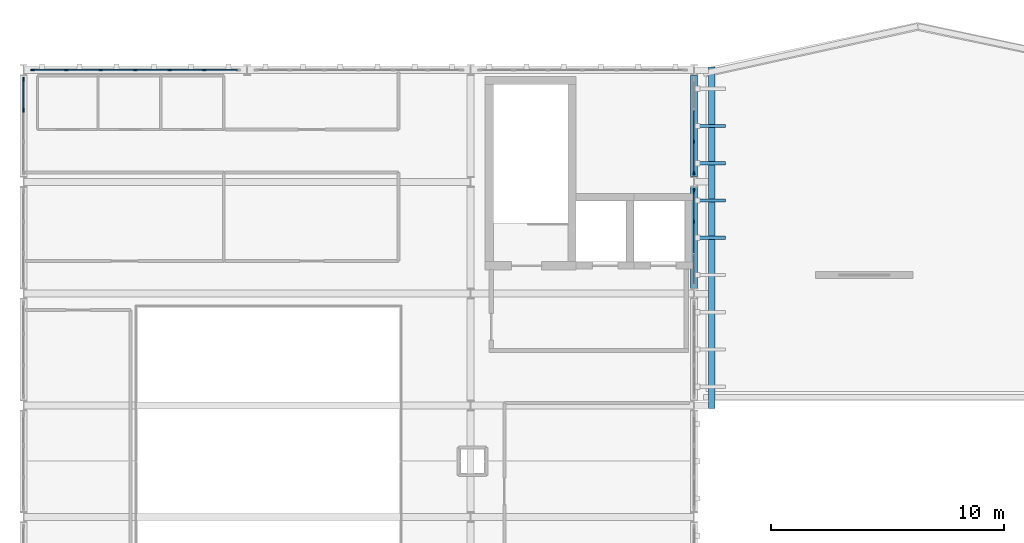
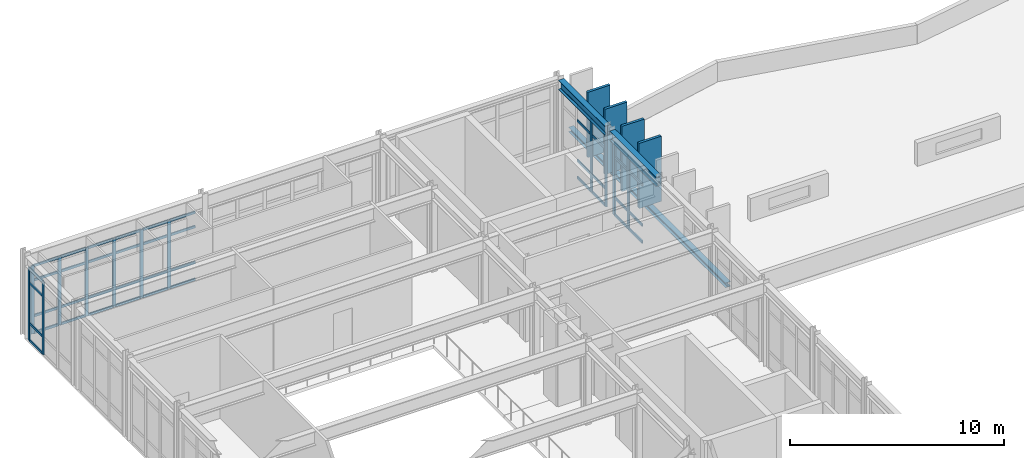
# One storey, part 7 of 16: 61 members, 3 beams, 4 elements without a shape of their own.
"""IFC4 building model written with IfcOpenShell, lengths in metres."""

from ifc_helpers import new_model, si_unit, direction, frame, origin, origin_2d, place, context, subcontext, project, spatial, rectangle, i_section, extrude, material, layer, layer_set, material_profile, profile_set, type_object, element, aggregate, save


model = new_model("IFC4")

# Units and contexts
model_context = context("Model", 3, precision=1e-05, world=origin(), true_north=direction((0.0, 1.0)))
body_context = subcontext(model_context, "Body", "Model", "MODEL_VIEW")
ifc_project = project(units=[si_unit("LENGTHUNIT", "METRE"), si_unit("AREAUNIT", "SQUARE_METRE"), si_unit("VOLUMEUNIT", "CUBIC_METRE"), si_unit("PLANEANGLEUNIT", "RADIAN"), si_unit("MASSUNIT", "GRAM", prefix="KILO")], contexts=[model_context])

# Site, building, storey
site_placement = place(None, origin())
site = spatial("IfcSite", under=ifc_project, at=site_placement, CompositionType="ELEMENT")
building_placement = place(site_placement, origin())
building = spatial("IfcBuilding", under=site, at=building_placement, Name="Nordkorset Police Headquarters", CompositionType="ELEMENT")
storey_placement = place(building_placement, frame((0.0, 0.0, 31.14990234375)))
storey = spatial("IfcBuildingStorey", under=building, at=storey_placement, Name="L07", CompositionType="ELEMENT", Elevation=31.14990234375)

# Curtain wall, members
ifc_material_1 = material(Name="Aluminium alloy AW-6060", Category="aluminium")
ifc_layer_1 = layer(ifc_material_1, 0.179931640625, Name="Aluminium alloy AW-6060")
ifc_layer_set_1 = layer_set([ifc_layer_1], Name="Aluminium alloy AW-6060")
curtain_wall_type_1 = type_object("IfcCurtainWallType", Name="CW_Unit_408x415", PredefinedType="USERDEFINED", material=ifc_layer_set_1)
curtain_wall_1_placement = place(storey_placement, origin())
curtain_wall_1 = element("IfcCurtainWall", 1, at=curtain_wall_1_placement, inside=storey, type_object=curtain_wall_type_1, Name="Unitised Curtain Wall L07 V1W-6", ObjectType="UNITISED CURTAIN WALL", PredefinedType="USERDEFINED")
ifc_material_2 = material(Name="Aluminium alloy AW-6060", Category="aluminium")
ifc_material_profile_1 = material_profile(ifc_material_2, rectangle(XDim=0.06494140625, YDim=0.179931640625, at=origin_2d()), Name="ALU MULL 65x180")
ifc_profile_set_1 = profile_set([ifc_material_profile_1], Name="Aluminium alloy AW-6060")
member_type_1 = type_object("IfcMemberType", Name="CW_Mullion_65x180", PredefinedType="MULLION", material=ifc_profile_set_1)
member_1_placement = place(storey_placement, frame((0.0, 115.080078125, 0.0), z_axis=(0.0, 0.0, 1.0), x_axis=(-1.0, 0.0, 0.0)))
member_1 = element("IfcMember", 2, at=member_1_placement, type_object=member_type_1, Name="CW-101 mullion 3", PredefinedType="MULLION", context=body_context, shape_type="SweptSolid", body=[
    extrude(rectangle(XDim=0.06494140625, YDim=0.179931640625, at=origin_2d()), origin(), (0.0, 0.0, 1.0), 4.150146484375),
])
member_2_placement = place(storey_placement, frame((0.0, 116.407470703125, 0.0), z_axis=(0.0, 0.0, 1.0), x_axis=(-1.0, 0.0, 0.0)))
member_2 = element("IfcMember", 3, at=member_2_placement, type_object=member_type_1, Name="CW-101 mullion 4", PredefinedType="MULLION", context=body_context, shape_type="SweptSolid", body=[
    extrude(rectangle(XDim=0.06494140625, YDim=0.179931640625, at=origin_2d()), origin(), (0.0, 0.0, 1.0), 4.150146484375),
])

ifc_material_3 = material(Name="Aluminium alloy AW-6060", Category="aluminium")
ifc_layer_2 = layer(ifc_material_3, 0.179931640625, Name="Aluminium alloy AW-6060")
ifc_layer_set_2 = layer_set([ifc_layer_2], Name="Aluminium alloy AW-6060")
curtain_wall_type_2 = type_object("IfcCurtainWallType", Name="CW_Unit_888x389", PredefinedType="USERDEFINED", material=ifc_layer_set_2)
curtain_wall_2_placement = place(storey_placement, origin())
curtain_wall_2 = element("IfcCurtainWall", 4, at=curtain_wall_2_placement, inside=storey, type_object=curtain_wall_type_2, Name="Unitised Curtain Wall L07 V1N-0", ObjectType="UNITISED CURTAIN WALL", PredefinedType="USERDEFINED")
member_3_placement = place(storey_placement, frame((0.392578125, 116.800048828125, 0.0), z_axis=(0.0, 0.0, 1.0), x_axis=(0.0, 1.0, 0.0)))
member_3 = element("IfcMember", 5, at=member_3_placement, type_object=member_type_1, Name="CW-76 mullion 1", PredefinedType="MULLION", context=body_context, shape_type="SweptSolid", body=[
    extrude(rectangle(XDim=0.06494140625, YDim=0.179931640625, at=origin_2d()), origin(), (0.0, 0.0, 1.0), 3.89013671875),
])
member_4_placement = place(storey_placement, frame((1.840087890625, 116.800048828125, 0.0), z_axis=(0.0, 0.0, 1.0), x_axis=(0.0, 1.0, 0.0)))
member_4 = element("IfcMember", 6, at=member_4_placement, type_object=member_type_1, Name="CW-76 mullion 2", PredefinedType="MULLION", context=body_context, shape_type="SweptSolid", body=[
    extrude(rectangle(XDim=0.06494140625, YDim=0.179931640625, at=origin_2d()), origin(), (0.0, 0.0, 1.0), 3.89013671875),
])
member_5_placement = place(storey_placement, frame((3.320068359375, 116.800048828125, 0.0), z_axis=(0.0, 0.0, 1.0), x_axis=(0.0, 1.0, 0.0)))
member_5 = element("IfcMember", 7, at=member_5_placement, type_object=member_type_1, Name="CW-76 mullion 3", PredefinedType="MULLION", context=body_context, shape_type="SweptSolid", body=[
    extrude(rectangle(XDim=0.06494140625, YDim=0.179931640625, at=origin_2d()), origin(), (0.0, 0.0, 1.0), 3.89013671875),
])
member_6_placement = place(storey_placement, frame((4.800048828125, 116.800048828125, 0.0), z_axis=(0.0, 0.0, 1.0), x_axis=(0.0, 1.0, 0.0)))
member_6 = element("IfcMember", 8, at=member_6_placement, type_object=member_type_1, Name="CW-76 mullion 4", PredefinedType="MULLION", context=body_context, shape_type="SweptSolid", body=[
    extrude(rectangle(XDim=0.06494140625, YDim=0.179931640625, at=origin_2d()), origin(), (0.0, 0.0, 1.0), 3.89013671875),
])
member_7_placement = place(storey_placement, frame((6.280029296875, 116.800048828125, 0.0), z_axis=(0.0, 0.0, 1.0), x_axis=(0.0, 1.0, 0.0)))
member_7 = element("IfcMember", 9, at=member_7_placement, type_object=member_type_1, Name="CW-76 mullion 5", PredefinedType="MULLION", context=body_context, shape_type="SweptSolid", body=[
    extrude(rectangle(XDim=0.06494140625, YDim=0.179931640625, at=origin_2d()), origin(), (0.0, 0.0, 1.0), 3.89013671875),
])
member_8_placement = place(storey_placement, frame((7.760009765625, 116.800048828125, 0.0), z_axis=(0.0, 0.0, 1.0), x_axis=(0.0, 1.0, 0.0)))
member_8 = element("IfcMember", 10, at=member_8_placement, type_object=member_type_1, Name="CW-76 mullion 6", PredefinedType="MULLION", context=body_context, shape_type="SweptSolid", body=[
    extrude(rectangle(XDim=0.06494140625, YDim=0.179931640625, at=origin_2d()), origin(), (0.0, 0.0, 1.0), 3.89013671875),
])

curtain_wall_3_placement = place(storey_placement, origin())
curtain_wall_3 = element("IfcCurtainWall", 11, at=curtain_wall_3_placement, inside=storey, type_object=curtain_wall_type_1, Name="Unitised Curtain Wall L07 V1E-5", ObjectType="UNITISED CURTAIN WALL", PredefinedType="USERDEFINED")
member_9_placement = place(storey_placement, frame((28.800048828125, 110.280029296875, 0.0), z_axis=(0.0, 0.0, 1.0), x_axis=(-1.0, 0.0, 0.0)))
member_9 = element("IfcMember", 12, at=member_9_placement, type_object=member_type_1, Name="CW-101 mullion 3", PredefinedType="MULLION", context=body_context, shape_type="SweptSolid", body=[
    extrude(rectangle(XDim=0.06494140625, YDim=0.179931640625, at=origin_2d()), origin(), (0.0, 0.0, 1.0), 4.150146484375),
])
member_10_placement = place(storey_placement, frame((28.800048828125, 111.607421875, 0.0), z_axis=(0.0, 0.0, 1.0), x_axis=(-1.0, 0.0, 0.0)))
member_10 = element("IfcMember", 13, at=member_10_placement, type_object=member_type_1, Name="CW-101 mullion 4", PredefinedType="MULLION", context=body_context, shape_type="SweptSolid", body=[
    extrude(rectangle(XDim=0.06494140625, YDim=0.179931640625, at=origin_2d()), origin(), (0.0, 0.0, 1.0), 4.150146484375),
])

curtain_wall_4_placement = place(storey_placement, origin())
curtain_wall_4 = element("IfcCurtainWall", 14, at=curtain_wall_4_placement, inside=storey, type_object=curtain_wall_type_1, Name="Unitised Curtain Wall L07 V1E-6", ObjectType="UNITISED CURTAIN WALL", PredefinedType="USERDEFINED")
member_11_placement = place(storey_placement, frame((28.800048828125, 112.392578125, 0.0), z_axis=(0.0, 0.0, 1.0), x_axis=(-1.0, 0.0, 0.0)))
member_11 = element("IfcMember", 15, at=member_11_placement, type_object=member_type_1, Name="CW-101 mullion 1", PredefinedType="MULLION", context=body_context, shape_type="SweptSolid", body=[
    extrude(rectangle(XDim=0.06494140625, YDim=0.179931640625, at=origin_2d()), origin(), (0.0, 0.0, 1.0), 4.150146484375),
])
member_12_placement = place(storey_placement, frame((28.800048828125, 113.719970703125, 0.0), z_axis=(0.0, 0.0, 1.0), x_axis=(-1.0, 0.0, 0.0)))
member_12 = element("IfcMember", 16, at=member_12_placement, type_object=member_type_1, Name="CW-101 mullion 2", PredefinedType="MULLION", context=body_context, shape_type="SweptSolid", body=[
    extrude(rectangle(XDim=0.06494140625, YDim=0.179931640625, at=origin_2d()), origin(), (0.0, 0.0, 1.0), 4.150146484375),
])

# Member
ifc_material_4 = material(Name="Aluminium alloy AW-6060", Category="aluminium")
ifc_material_profile_2 = material_profile(ifc_material_4, rectangle(XDim=0.06494140625, YDim=0.139892578125, at=origin_2d()), Name="ALU TRAN 65x140")
ifc_profile_set_2 = profile_set([ifc_material_profile_2], Name="Aluminium alloy AW-6060")
member_type_2 = type_object("IfcMemberType", Name="CW_Transom_65x140", PredefinedType="USERDEFINED", material=ifc_profile_set_2)
member_13_placement = place(storey_placement, frame((0.0, 115.112548828125, 0.03271484375), z_axis=(0.0, 1.0, 0.0), x_axis=(-1.0, 0.0, 0.0)))
member_13 = element("IfcMember", 17, at=member_13_placement, type_object=member_type_2, Name="CW-101 transom 3.1", ObjectType="TRANSOM", PredefinedType="USERDEFINED", context=body_context, shape_type="SweptSolid", body=[
    extrude(rectangle(XDim=0.06494140625, YDim=0.139892578125, at=origin_2d()), origin(), (0.0, 0.0, 1.0), 1.262451171875),
])

member_14_placement = place(storey_placement, frame((0.0, 115.112548828125, 1.0), z_axis=(0.0, 1.0, 0.0), x_axis=(-1.0, 0.0, 0.0)))
member_14 = element("IfcMember", 18, at=member_14_placement, type_object=member_type_2, Name="CW-101 transom 3.2", ObjectType="TRANSOM", PredefinedType="USERDEFINED", context=body_context, shape_type="SweptSolid", body=[
    extrude(rectangle(XDim=0.06494140625, YDim=0.139892578125, at=origin_2d()), origin(), (0.0, 0.0, 1.0), 1.262451171875),
])

member_15_placement = place(storey_placement, frame((0.0, 115.112548828125, 3.300048828125), z_axis=(0.0, 1.0, 0.0), x_axis=(-1.0, 0.0, 0.0)))
member_15 = element("IfcMember", 19, at=member_15_placement, type_object=member_type_2, Name="CW-101 transom 3.3", ObjectType="TRANSOM", PredefinedType="USERDEFINED", context=body_context, shape_type="SweptSolid", body=[
    extrude(rectangle(XDim=0.06494140625, YDim=0.139892578125, at=origin_2d()), origin(), (0.0, 0.0, 1.0), 1.262451171875),
])

member_16_placement = place(storey_placement, frame((0.0, 115.112548828125, 4.11767578125), z_axis=(0.0, 1.0, 0.0), x_axis=(-1.0, 0.0, 0.0)))
member_16 = element("IfcMember", 20, at=member_16_placement, type_object=member_type_2, Name="CW-101 transom 3.4", ObjectType="TRANSOM", PredefinedType="USERDEFINED", context=body_context, shape_type="SweptSolid", body=[
    extrude(rectangle(XDim=0.06494140625, YDim=0.139892578125, at=origin_2d()), origin(), (0.0, 0.0, 1.0), 1.262451171875),
])

aggregate(curtain_wall_1, [member_1, member_2, member_13, member_14, member_15, member_16])

member_17_placement = place(storey_placement, frame((0.425048828125, 116.800048828125, 0.03271484375), z_axis=(1.0, 0.0, 0.0), x_axis=(0.0, 1.0, 0.0)))
member_17 = element("IfcMember", 21, at=member_17_placement, type_object=member_type_2, Name="CW-76 transom 1.1", ObjectType="TRANSOM", PredefinedType="USERDEFINED", context=body_context, shape_type="SweptSolid", body=[
    extrude(rectangle(XDim=0.06494140625, YDim=0.139892578125, at=origin_2d()), origin(), (0.0, 0.0, 1.0), 1.382568359375),
])

member_18_placement = place(storey_placement, frame((0.425048828125, 116.800048828125, 1.0), z_axis=(1.0, 0.0, 0.0), x_axis=(0.0, 1.0, 0.0)))
member_18 = element("IfcMember", 22, at=member_18_placement, type_object=member_type_2, Name="CW-76 transom 1.2", ObjectType="TRANSOM", PredefinedType="USERDEFINED", context=body_context, shape_type="SweptSolid", body=[
    extrude(rectangle(XDim=0.06494140625, YDim=0.139892578125, at=origin_2d()), origin(), (0.0, 0.0, 1.0), 1.382568359375),
])

member_19_placement = place(storey_placement, frame((0.425048828125, 116.800048828125, 3.0400390625), z_axis=(1.0, 0.0, 0.0), x_axis=(0.0, 1.0, 0.0)))
member_19 = element("IfcMember", 23, at=member_19_placement, type_object=member_type_2, Name="CW-76 transom 1.3", ObjectType="TRANSOM", PredefinedType="USERDEFINED", context=body_context, shape_type="SweptSolid", body=[
    extrude(rectangle(XDim=0.06494140625, YDim=0.139892578125, at=origin_2d()), origin(), (0.0, 0.0, 1.0), 1.382568359375),
])

member_20_placement = place(storey_placement, frame((0.425048828125, 116.800048828125, 3.857666015625), z_axis=(1.0, 0.0, 0.0), x_axis=(0.0, 1.0, 0.0)))
member_20 = element("IfcMember", 24, at=member_20_placement, type_object=member_type_2, Name="CW-76 transom 1.4", ObjectType="TRANSOM", PredefinedType="USERDEFINED", context=body_context, shape_type="SweptSolid", body=[
    extrude(rectangle(XDim=0.06494140625, YDim=0.139892578125, at=origin_2d()), origin(), (0.0, 0.0, 1.0), 1.382568359375),
])

member_21_placement = place(storey_placement, frame((1.87255859375, 116.800048828125, 0.03271484375), z_axis=(1.0, 0.0, 0.0), x_axis=(0.0, 1.0, 0.0)))
member_21 = element("IfcMember", 25, at=member_21_placement, type_object=member_type_2, Name="CW-76 transom 2.1", ObjectType="TRANSOM", PredefinedType="USERDEFINED", context=body_context, shape_type="SweptSolid", body=[
    extrude(rectangle(XDim=0.06494140625, YDim=0.139892578125, at=origin_2d()), origin(), (0.0, 0.0, 1.0), 1.4150390625),
])

member_22_placement = place(storey_placement, frame((1.87255859375, 116.800048828125, 1.0), z_axis=(1.0, 0.0, 0.0), x_axis=(0.0, 1.0, 0.0)))
member_22 = element("IfcMember", 26, at=member_22_placement, type_object=member_type_2, Name="CW-76 transom 2.2", ObjectType="TRANSOM", PredefinedType="USERDEFINED", context=body_context, shape_type="SweptSolid", body=[
    extrude(rectangle(XDim=0.06494140625, YDim=0.139892578125, at=origin_2d()), origin(), (0.0, 0.0, 1.0), 1.4150390625),
])

member_23_placement = place(storey_placement, frame((1.87255859375, 116.800048828125, 3.0400390625), z_axis=(1.0, 0.0, 0.0), x_axis=(0.0, 1.0, 0.0)))
member_23 = element("IfcMember", 27, at=member_23_placement, type_object=member_type_2, Name="CW-76 transom 2.3", ObjectType="TRANSOM", PredefinedType="USERDEFINED", context=body_context, shape_type="SweptSolid", body=[
    extrude(rectangle(XDim=0.06494140625, YDim=0.139892578125, at=origin_2d()), origin(), (0.0, 0.0, 1.0), 1.4150390625),
])

member_24_placement = place(storey_placement, frame((1.87255859375, 116.800048828125, 3.857666015625), z_axis=(1.0, 0.0, 0.0), x_axis=(0.0, 1.0, 0.0)))
member_24 = element("IfcMember", 28, at=member_24_placement, type_object=member_type_2, Name="CW-76 transom 2.4", ObjectType="TRANSOM", PredefinedType="USERDEFINED", context=body_context, shape_type="SweptSolid", body=[
    extrude(rectangle(XDim=0.06494140625, YDim=0.139892578125, at=origin_2d()), origin(), (0.0, 0.0, 1.0), 1.4150390625),
])

member_25_placement = place(storey_placement, frame((3.3525390625, 116.800048828125, 0.03271484375), z_axis=(1.0, 0.0, 0.0), x_axis=(0.0, 1.0, 0.0)))
member_25 = element("IfcMember", 29, at=member_25_placement, type_object=member_type_2, Name="CW-76 transom 3.1", ObjectType="TRANSOM", PredefinedType="USERDEFINED", context=body_context, shape_type="SweptSolid", body=[
    extrude(rectangle(XDim=0.06494140625, YDim=0.139892578125, at=origin_2d()), origin(), (0.0, 0.0, 1.0), 1.4150390625),
])

member_26_placement = place(storey_placement, frame((3.3525390625, 116.800048828125, 1.0), z_axis=(1.0, 0.0, 0.0), x_axis=(0.0, 1.0, 0.0)))
member_26 = element("IfcMember", 30, at=member_26_placement, type_object=member_type_2, Name="CW-76 transom 3.2", ObjectType="TRANSOM", PredefinedType="USERDEFINED", context=body_context, shape_type="SweptSolid", body=[
    extrude(rectangle(XDim=0.06494140625, YDim=0.139892578125, at=origin_2d()), origin(), (0.0, 0.0, 1.0), 1.4150390625),
])

member_27_placement = place(storey_placement, frame((3.3525390625, 116.800048828125, 3.0400390625), z_axis=(1.0, 0.0, 0.0), x_axis=(0.0, 1.0, 0.0)))
member_27 = element("IfcMember", 31, at=member_27_placement, type_object=member_type_2, Name="CW-76 transom 3.3", ObjectType="TRANSOM", PredefinedType="USERDEFINED", context=body_context, shape_type="SweptSolid", body=[
    extrude(rectangle(XDim=0.06494140625, YDim=0.139892578125, at=origin_2d()), origin(), (0.0, 0.0, 1.0), 1.4150390625),
])

member_28_placement = place(storey_placement, frame((3.3525390625, 116.800048828125, 3.857666015625), z_axis=(1.0, 0.0, 0.0), x_axis=(0.0, 1.0, 0.0)))
member_28 = element("IfcMember", 32, at=member_28_placement, type_object=member_type_2, Name="CW-76 transom 3.4", ObjectType="TRANSOM", PredefinedType="USERDEFINED", context=body_context, shape_type="SweptSolid", body=[
    extrude(rectangle(XDim=0.06494140625, YDim=0.139892578125, at=origin_2d()), origin(), (0.0, 0.0, 1.0), 1.4150390625),
])

member_29_placement = place(storey_placement, frame((4.83251953125, 116.800048828125, 0.03271484375), z_axis=(1.0, 0.0, 0.0), x_axis=(0.0, 1.0, 0.0)))
member_29 = element("IfcMember", 33, at=member_29_placement, type_object=member_type_2, Name="CW-76 transom 4.1", ObjectType="TRANSOM", PredefinedType="USERDEFINED", context=body_context, shape_type="SweptSolid", body=[
    extrude(rectangle(XDim=0.06494140625, YDim=0.139892578125, at=origin_2d()), origin(), (0.0, 0.0, 1.0), 1.4150390625),
])

member_30_placement = place(storey_placement, frame((4.83251953125, 116.800048828125, 1.0), z_axis=(1.0, 0.0, 0.0), x_axis=(0.0, 1.0, 0.0)))
member_30 = element("IfcMember", 34, at=member_30_placement, type_object=member_type_2, Name="CW-76 transom 4.2", ObjectType="TRANSOM", PredefinedType="USERDEFINED", context=body_context, shape_type="SweptSolid", body=[
    extrude(rectangle(XDim=0.06494140625, YDim=0.139892578125, at=origin_2d()), origin(), (0.0, 0.0, 1.0), 1.4150390625),
])

member_31_placement = place(storey_placement, frame((4.83251953125, 116.800048828125, 3.0400390625), z_axis=(1.0, 0.0, 0.0), x_axis=(0.0, 1.0, 0.0)))
member_31 = element("IfcMember", 35, at=member_31_placement, type_object=member_type_2, Name="CW-76 transom 4.3", ObjectType="TRANSOM", PredefinedType="USERDEFINED", context=body_context, shape_type="SweptSolid", body=[
    extrude(rectangle(XDim=0.06494140625, YDim=0.139892578125, at=origin_2d()), origin(), (0.0, 0.0, 1.0), 1.4150390625),
])

member_32_placement = place(storey_placement, frame((4.83251953125, 116.800048828125, 3.857666015625), z_axis=(1.0, 0.0, 0.0), x_axis=(0.0, 1.0, 0.0)))
member_32 = element("IfcMember", 36, at=member_32_placement, type_object=member_type_2, Name="CW-76 transom 4.4", ObjectType="TRANSOM", PredefinedType="USERDEFINED", context=body_context, shape_type="SweptSolid", body=[
    extrude(rectangle(XDim=0.06494140625, YDim=0.139892578125, at=origin_2d()), origin(), (0.0, 0.0, 1.0), 1.4150390625),
])

member_33_placement = place(storey_placement, frame((6.3125, 116.800048828125, 0.03271484375), z_axis=(1.0, 0.0, 0.0), x_axis=(0.0, 1.0, 0.0)))
member_33 = element("IfcMember", 37, at=member_33_placement, type_object=member_type_2, Name="CW-76 transom 5.1", ObjectType="TRANSOM", PredefinedType="USERDEFINED", context=body_context, shape_type="SweptSolid", body=[
    extrude(rectangle(XDim=0.06494140625, YDim=0.139892578125, at=origin_2d()), origin(), (0.0, 0.0, 1.0), 1.4150390625),
])

member_34_placement = place(storey_placement, frame((6.3125, 116.800048828125, 1.0), z_axis=(1.0, 0.0, 0.0), x_axis=(0.0, 1.0, 0.0)))
member_34 = element("IfcMember", 38, at=member_34_placement, type_object=member_type_2, Name="CW-76 transom 5.2", ObjectType="TRANSOM", PredefinedType="USERDEFINED", context=body_context, shape_type="SweptSolid", body=[
    extrude(rectangle(XDim=0.06494140625, YDim=0.139892578125, at=origin_2d()), origin(), (0.0, 0.0, 1.0), 1.4150390625),
])

member_35_placement = place(storey_placement, frame((6.3125, 116.800048828125, 3.0400390625), z_axis=(1.0, 0.0, 0.0), x_axis=(0.0, 1.0, 0.0)))
member_35 = element("IfcMember", 39, at=member_35_placement, type_object=member_type_2, Name="CW-76 transom 5.3", ObjectType="TRANSOM", PredefinedType="USERDEFINED", context=body_context, shape_type="SweptSolid", body=[
    extrude(rectangle(XDim=0.06494140625, YDim=0.139892578125, at=origin_2d()), origin(), (0.0, 0.0, 1.0), 1.4150390625),
])

member_36_placement = place(storey_placement, frame((6.3125, 116.800048828125, 3.857666015625), z_axis=(1.0, 0.0, 0.0), x_axis=(0.0, 1.0, 0.0)))
member_36 = element("IfcMember", 40, at=member_36_placement, type_object=member_type_2, Name="CW-76 transom 5.4", ObjectType="TRANSOM", PredefinedType="USERDEFINED", context=body_context, shape_type="SweptSolid", body=[
    extrude(rectangle(XDim=0.06494140625, YDim=0.139892578125, at=origin_2d()), origin(), (0.0, 0.0, 1.0), 1.4150390625),
])

member_37_placement = place(storey_placement, frame((7.79248046875, 116.800048828125, 0.03271484375), z_axis=(1.0, 0.0, 0.0), x_axis=(0.0, 1.0, 0.0)))
member_37 = element("IfcMember", 41, at=member_37_placement, type_object=member_type_2, Name="CW-76 transom 6.1", ObjectType="TRANSOM", PredefinedType="USERDEFINED", context=body_context, shape_type="SweptSolid", body=[
    extrude(rectangle(XDim=0.06494140625, YDim=0.139892578125, at=origin_2d()), origin(), (0.0, 0.0, 1.0), 1.382568359375),
])

member_38_placement = place(storey_placement, frame((7.79248046875, 116.800048828125, 1.0), z_axis=(1.0, 0.0, 0.0), x_axis=(0.0, 1.0, 0.0)))
member_38 = element("IfcMember", 42, at=member_38_placement, type_object=member_type_2, Name="CW-76 transom 6.2", ObjectType="TRANSOM", PredefinedType="USERDEFINED", context=body_context, shape_type="SweptSolid", body=[
    extrude(rectangle(XDim=0.06494140625, YDim=0.139892578125, at=origin_2d()), origin(), (0.0, 0.0, 1.0), 1.382568359375),
])

member_39_placement = place(storey_placement, frame((7.79248046875, 116.800048828125, 3.0400390625), z_axis=(1.0, 0.0, 0.0), x_axis=(0.0, 1.0, 0.0)))
member_39 = element("IfcMember", 43, at=member_39_placement, type_object=member_type_2, Name="CW-76 transom 6.3", ObjectType="TRANSOM", PredefinedType="USERDEFINED", context=body_context, shape_type="SweptSolid", body=[
    extrude(rectangle(XDim=0.06494140625, YDim=0.139892578125, at=origin_2d()), origin(), (0.0, 0.0, 1.0), 1.382568359375),
])

member_40_placement = place(storey_placement, frame((7.79248046875, 116.800048828125, 3.857666015625), z_axis=(1.0, 0.0, 0.0), x_axis=(0.0, 1.0, 0.0)))
member_40 = element("IfcMember", 44, at=member_40_placement, type_object=member_type_2, Name="CW-76 transom 6.4", ObjectType="TRANSOM", PredefinedType="USERDEFINED", context=body_context, shape_type="SweptSolid", body=[
    extrude(rectangle(XDim=0.06494140625, YDim=0.139892578125, at=origin_2d()), origin(), (0.0, 0.0, 1.0), 1.382568359375),
])

aggregate(curtain_wall_2, [member_3, member_4, member_5, member_6, member_7, member_8, member_17, member_18, member_19, member_20, member_21, member_22, member_23, member_24, member_25, member_26, member_27, member_28, member_29, member_30, member_31, member_32, member_33, member_34, member_35, member_36, member_37, member_38, member_39, member_40])

member_41_placement = place(storey_placement, frame((28.800048828125, 107.625, 4.11767578125), z_axis=(0.0, 1.0, 0.0), x_axis=(-1.0, 0.0, 0.0)))
member_41 = element("IfcMember", 45, at=member_41_placement, type_object=member_type_2, Name="CW-101 transom 1.4", ObjectType="TRANSOM", PredefinedType="USERDEFINED", context=body_context, shape_type="SweptSolid", body=[
    extrude(rectangle(XDim=0.06494140625, YDim=0.139892578125, at=origin_2d()), origin(), (0.0, 0.0, 1.0), 1.262451171875),
])

member_42_placement = place(storey_placement, frame((28.800048828125, 108.952392578125, 0.03271484375), z_axis=(0.0, 1.0, 0.0), x_axis=(-1.0, 0.0, 0.0)))
member_42 = element("IfcMember", 46, at=member_42_placement, type_object=member_type_2, Name="CW-101 transom 2.1", ObjectType="TRANSOM", PredefinedType="USERDEFINED", context=body_context, shape_type="SweptSolid", body=[
    extrude(rectangle(XDim=0.06494140625, YDim=0.139892578125, at=origin_2d()), origin(), (0.0, 0.0, 1.0), 1.295166015625),
])

member_43_placement = place(storey_placement, frame((28.800048828125, 108.952392578125, 1.0), z_axis=(0.0, 1.0, 0.0), x_axis=(-1.0, 0.0, 0.0)))
member_43 = element("IfcMember", 47, at=member_43_placement, type_object=member_type_2, Name="CW-101 transom 2.2", ObjectType="TRANSOM", PredefinedType="USERDEFINED", context=body_context, shape_type="SweptSolid", body=[
    extrude(rectangle(XDim=0.06494140625, YDim=0.139892578125, at=origin_2d()), origin(), (0.0, 0.0, 1.0), 1.295166015625),
])

member_44_placement = place(storey_placement, frame((28.800048828125, 108.952392578125, 3.300048828125), z_axis=(0.0, 1.0, 0.0), x_axis=(-1.0, 0.0, 0.0)))
member_44 = element("IfcMember", 48, at=member_44_placement, type_object=member_type_2, Name="CW-101 transom 2.3", ObjectType="TRANSOM", PredefinedType="USERDEFINED", context=body_context, shape_type="SweptSolid", body=[
    extrude(rectangle(XDim=0.06494140625, YDim=0.139892578125, at=origin_2d()), origin(), (0.0, 0.0, 1.0), 1.295166015625),
])

member_45_placement = place(storey_placement, frame((28.800048828125, 108.952392578125, 4.11767578125), z_axis=(0.0, 1.0, 0.0), x_axis=(-1.0, 0.0, 0.0)))
member_45 = element("IfcMember", 49, at=member_45_placement, type_object=member_type_2, Name="CW-101 transom 2.4", ObjectType="TRANSOM", PredefinedType="USERDEFINED", context=body_context, shape_type="SweptSolid", body=[
    extrude(rectangle(XDim=0.06494140625, YDim=0.139892578125, at=origin_2d()), origin(), (0.0, 0.0, 1.0), 1.295166015625),
])

member_46_placement = place(storey_placement, frame((28.800048828125, 110.3125, 0.03271484375), z_axis=(0.0, 1.0, 0.0), x_axis=(-1.0, 0.0, 0.0)))
member_46 = element("IfcMember", 50, at=member_46_placement, type_object=member_type_2, Name="CW-101 transom 3.1", ObjectType="TRANSOM", PredefinedType="USERDEFINED", context=body_context, shape_type="SweptSolid", body=[
    extrude(rectangle(XDim=0.06494140625, YDim=0.139892578125, at=origin_2d()), origin(), (0.0, 0.0, 1.0), 1.262451171875),
])

member_47_placement = place(storey_placement, frame((28.800048828125, 110.3125, 1.0), z_axis=(0.0, 1.0, 0.0), x_axis=(-1.0, 0.0, 0.0)))
member_47 = element("IfcMember", 51, at=member_47_placement, type_object=member_type_2, Name="CW-101 transom 3.2", ObjectType="TRANSOM", PredefinedType="USERDEFINED", context=body_context, shape_type="SweptSolid", body=[
    extrude(rectangle(XDim=0.06494140625, YDim=0.139892578125, at=origin_2d()), origin(), (0.0, 0.0, 1.0), 1.262451171875),
])

member_48_placement = place(storey_placement, frame((28.800048828125, 110.3125, 3.300048828125), z_axis=(0.0, 1.0, 0.0), x_axis=(-1.0, 0.0, 0.0)))
member_48 = element("IfcMember", 52, at=member_48_placement, type_object=member_type_2, Name="CW-101 transom 3.3", ObjectType="TRANSOM", PredefinedType="USERDEFINED", context=body_context, shape_type="SweptSolid", body=[
    extrude(rectangle(XDim=0.06494140625, YDim=0.139892578125, at=origin_2d()), origin(), (0.0, 0.0, 1.0), 1.262451171875),
])

member_49_placement = place(storey_placement, frame((28.800048828125, 110.3125, 4.11767578125), z_axis=(0.0, 1.0, 0.0), x_axis=(-1.0, 0.0, 0.0)))
member_49 = element("IfcMember", 53, at=member_49_placement, type_object=member_type_2, Name="CW-101 transom 3.4", ObjectType="TRANSOM", PredefinedType="USERDEFINED", context=body_context, shape_type="SweptSolid", body=[
    extrude(rectangle(XDim=0.06494140625, YDim=0.139892578125, at=origin_2d()), origin(), (0.0, 0.0, 1.0), 1.262451171875),
])

aggregate(curtain_wall_3, [member_9, member_10, member_41, member_42, member_43, member_44, member_45, member_46, member_47, member_48, member_49])

member_50_placement = place(storey_placement, frame((28.800048828125, 112.425048828125, 0.03271484375), z_axis=(0.0, 1.0, 0.0), x_axis=(-1.0, 0.0, 0.0)))
member_50 = element("IfcMember", 54, at=member_50_placement, type_object=member_type_2, Name="CW-101 transom 1.1", ObjectType="TRANSOM", PredefinedType="USERDEFINED", context=body_context, shape_type="SweptSolid", body=[
    extrude(rectangle(XDim=0.06494140625, YDim=0.139892578125, at=origin_2d()), origin(), (0.0, 0.0, 1.0), 1.262451171875),
])

member_51_placement = place(storey_placement, frame((28.800048828125, 112.425048828125, 1.0), z_axis=(0.0, 1.0, 0.0), x_axis=(-1.0, 0.0, 0.0)))
member_51 = element("IfcMember", 55, at=member_51_placement, type_object=member_type_2, Name="CW-101 transom 1.2", ObjectType="TRANSOM", PredefinedType="USERDEFINED", context=body_context, shape_type="SweptSolid", body=[
    extrude(rectangle(XDim=0.06494140625, YDim=0.139892578125, at=origin_2d()), origin(), (0.0, 0.0, 1.0), 1.262451171875),
])

member_52_placement = place(storey_placement, frame((28.800048828125, 112.425048828125, 3.300048828125), z_axis=(0.0, 1.0, 0.0), x_axis=(-1.0, 0.0, 0.0)))
member_52 = element("IfcMember", 56, at=member_52_placement, type_object=member_type_2, Name="CW-101 transom 1.3", ObjectType="TRANSOM", PredefinedType="USERDEFINED", context=body_context, shape_type="SweptSolid", body=[
    extrude(rectangle(XDim=0.06494140625, YDim=0.139892578125, at=origin_2d()), origin(), (0.0, 0.0, 1.0), 1.262451171875),
])

member_53_placement = place(storey_placement, frame((28.800048828125, 112.425048828125, 4.11767578125), z_axis=(0.0, 1.0, 0.0), x_axis=(-1.0, 0.0, 0.0)))
member_53 = element("IfcMember", 57, at=member_53_placement, type_object=member_type_2, Name="CW-101 transom 1.4", ObjectType="TRANSOM", PredefinedType="USERDEFINED", context=body_context, shape_type="SweptSolid", body=[
    extrude(rectangle(XDim=0.06494140625, YDim=0.139892578125, at=origin_2d()), origin(), (0.0, 0.0, 1.0), 1.262451171875),
])

member_54_placement = place(storey_placement, frame((28.800048828125, 113.75244140625, 0.03271484375), z_axis=(0.0, 1.0, 0.0), x_axis=(-1.0, 0.0, 0.0)))
member_54 = element("IfcMember", 58, at=member_54_placement, type_object=member_type_2, Name="CW-101 transom 2.1", ObjectType="TRANSOM", PredefinedType="USERDEFINED", context=body_context, shape_type="SweptSolid", body=[
    extrude(rectangle(XDim=0.06494140625, YDim=0.139892578125, at=origin_2d()), origin(), (0.0, 0.0, 1.0), 1.295166015625),
])

member_55_placement = place(storey_placement, frame((28.800048828125, 113.75244140625, 1.0), z_axis=(0.0, 1.0, 0.0), x_axis=(-1.0, 0.0, 0.0)))
member_55 = element("IfcMember", 59, at=member_55_placement, type_object=member_type_2, Name="CW-101 transom 2.2", ObjectType="TRANSOM", PredefinedType="USERDEFINED", context=body_context, shape_type="SweptSolid", body=[
    extrude(rectangle(XDim=0.06494140625, YDim=0.139892578125, at=origin_2d()), origin(), (0.0, 0.0, 1.0), 1.295166015625),
])

member_56_placement = place(storey_placement, frame((28.800048828125, 113.75244140625, 3.300048828125), z_axis=(0.0, 1.0, 0.0), x_axis=(-1.0, 0.0, 0.0)))
member_56 = element("IfcMember", 60, at=member_56_placement, type_object=member_type_2, Name="CW-101 transom 2.3", ObjectType="TRANSOM", PredefinedType="USERDEFINED", context=body_context, shape_type="SweptSolid", body=[
    extrude(rectangle(XDim=0.06494140625, YDim=0.139892578125, at=origin_2d()), origin(), (0.0, 0.0, 1.0), 1.295166015625),
])

member_57_placement = place(storey_placement, frame((28.800048828125, 113.75244140625, 4.11767578125), z_axis=(0.0, 1.0, 0.0), x_axis=(-1.0, 0.0, 0.0)))
member_57 = element("IfcMember", 61, at=member_57_placement, type_object=member_type_2, Name="CW-101 transom 2.4", ObjectType="TRANSOM", PredefinedType="USERDEFINED", context=body_context, shape_type="SweptSolid", body=[
    extrude(rectangle(XDim=0.06494140625, YDim=0.139892578125, at=origin_2d()), origin(), (0.0, 0.0, 1.0), 1.295166015625),
])

aggregate(curtain_wall_4, [member_11, member_12, member_50, member_51, member_52, member_53, member_54, member_55, member_56, member_57])

# Beams
ifc_material_5 = material(Name="Steel S355J2", Category="steel")
ifc_material_profile_3 = material_profile(ifc_material_5, i_section(OverallWidth=0.300048828125, OverallDepth=0.5400390625, WebThickness=0.012451171875, FlangeThickness=0.02392578125, FilletRadius=0.027099609375, at=origin_2d()), Name="HEA 550")
ifc_profile_set_3 = profile_set([ifc_material_profile_3], Name="Steel S355J2")
beam_type_1 = type_object("IfcBeamType", Name="Girder_HEA_550", PredefinedType="USERDEFINED", material=ifc_profile_set_3)
for number, where, z_axis, x_axis, name in (
    (62, (28.800048828125, 107.425048828125, 4.440185546875), (0.0, 1.0, 0.0), (-1.0, 0.0, 0.0), "Girder V1 L07 GY-2-5"),
    (63, (28.800048828125, 112.22509765625, 4.440185546875), (0.0, 1.0, 0.0), (-1.0, 0.0, 0.0), "Girder V1 L07 GY-2-6"),
):
    element("IfcBeam", number, at=place(storey_placement, frame(where, z_axis=z_axis, x_axis=x_axis)), inside=storey, type_object=beam_type_1, Name=name, ObjectType="GIRDER", PredefinedType="USERDEFINED", context=body_context, shape_type="SweptSolid", body=[
        extrude(i_section(OverallWidth=0.300048828125, OverallDepth=0.5400390625, WebThickness=0.012451171875, FlangeThickness=0.02392578125, FilletRadius=0.027099609375, at=origin_2d()), origin(), (0.0, 0.0, 1.0), 4.349853515625),
    ])

# Members
ifc_material_6 = material(Name="Glulam GL30c", Category="wood")
ifc_material_profile_4 = material_profile(ifc_material_6, rectangle(XDim=0.139892578125, YDim=1.199951171875, at=origin_2d()), Name="GL30C FIN 140x1200")
ifc_profile_set_4 = profile_set([ifc_material_profile_4], Name="Glulam GL30c")
member_type_3 = type_object("IfcMemberType", Name="Member_GlulamFin_140x1200", PredefinedType="USERDEFINED", material=ifc_profile_set_4)
for number, where, z_axis, x_axis, name in (
    (64, (29.550048828125, 109.60009765625, 1.53515625), (0.0, 0.0, 1.0), (0.0, 1.0, 0.0), "Vertical Glulam Timber Fin East 038"),
    (65, (29.550048828125, 111.199951171875, 1.53515625), (0.0, 0.0, 1.0), (0.0, 1.0, 0.0), "Vertical Glulam Timber Fin East 039"),
    (66, (29.550048828125, 112.800048828125, 1.53515625), (0.0, 0.0, 1.0), (0.0, 1.0, 0.0), "Vertical Glulam Timber Fin East 040"),
    (67, (29.550048828125, 114.39990234375, 1.53515625), (0.0, 0.0, 1.0), (0.0, 1.0, 0.0), "Vertical Glulam Timber Fin East 041"),
):
    element("IfcMember", number, at=place(storey_placement, frame(where, z_axis=z_axis, x_axis=x_axis)), inside=storey, type_object=member_type_3, Name=name, ObjectType="VERTICAL TIMBER FIN", PredefinedType="USERDEFINED", context=body_context, shape_type="SweptSolid", body=[
        extrude(rectangle(XDim=0.139892578125, YDim=1.199951171875, at=origin_2d()), origin(), (0.0, 0.0, 1.0), 3.724853515625),
    ])

# Beam
ifc_material_7 = material(Name="Steel S355J2", Category="steel")
ifc_material_profile_5 = material_profile(ifc_material_7, i_section(OverallWidth=0.280029296875, OverallDepth=0.27001953125, WebThickness=0.008056640625, FlangeThickness=0.012939453125, FilletRadius=0.02392578125, at=origin_2d()), Name="HEA 280")
ifc_profile_set_5 = profile_set([ifc_material_profile_5], Name="Steel S355J2")
beam_type_2 = type_object("IfcBeamType", Name="Spandrel_HEA_280", PredefinedType="SPANDREL", material=ifc_profile_set_5)
beam_placement = place(storey_placement, frame((29.550048828125, 102.260009765625, 1.400146484375), z_axis=(0.0, 1.0, 0.0), x_axis=(-1.0, 0.0, 0.0)))
element("IfcBeam", 68, at=beam_placement, inside=storey, type_object=beam_type_2, Name="Facade Fin Support Ledger East Upper 1", PredefinedType="SPANDREL", context=body_context, shape_type="SweptSolid", body=[
    extrude(i_section(OverallWidth=0.280029296875, OverallDepth=0.27001953125, WebThickness=0.008056640625, FlangeThickness=0.012939453125, FilletRadius=0.02392578125, at=origin_2d()), origin(), (0.0, 0.0, 1.0), 14.679931640625),
])

save(model, "model.ifc")
